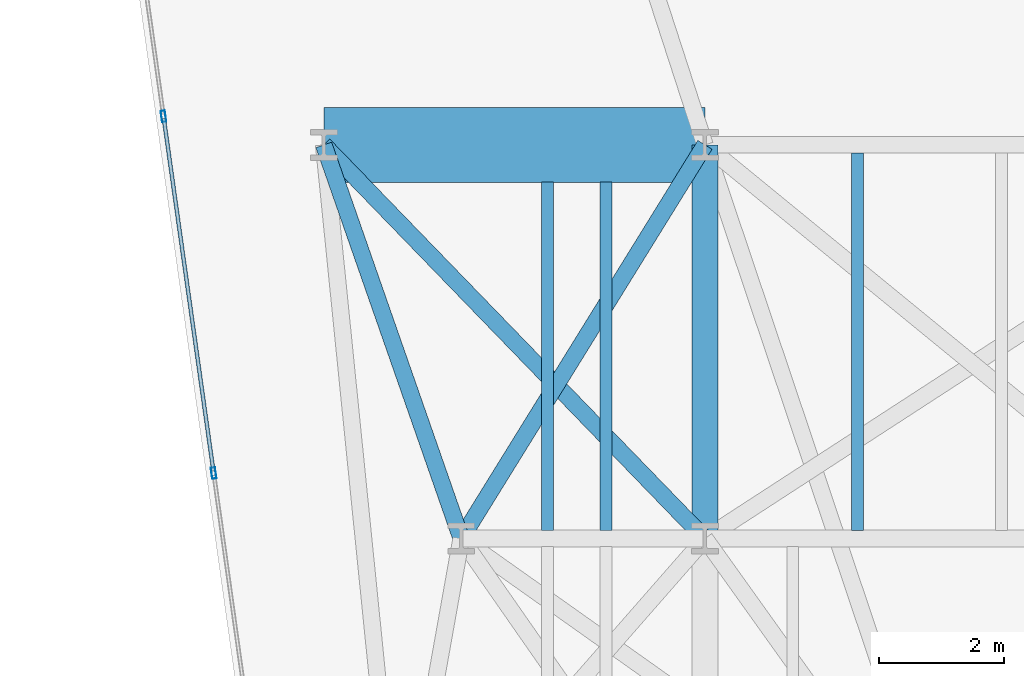
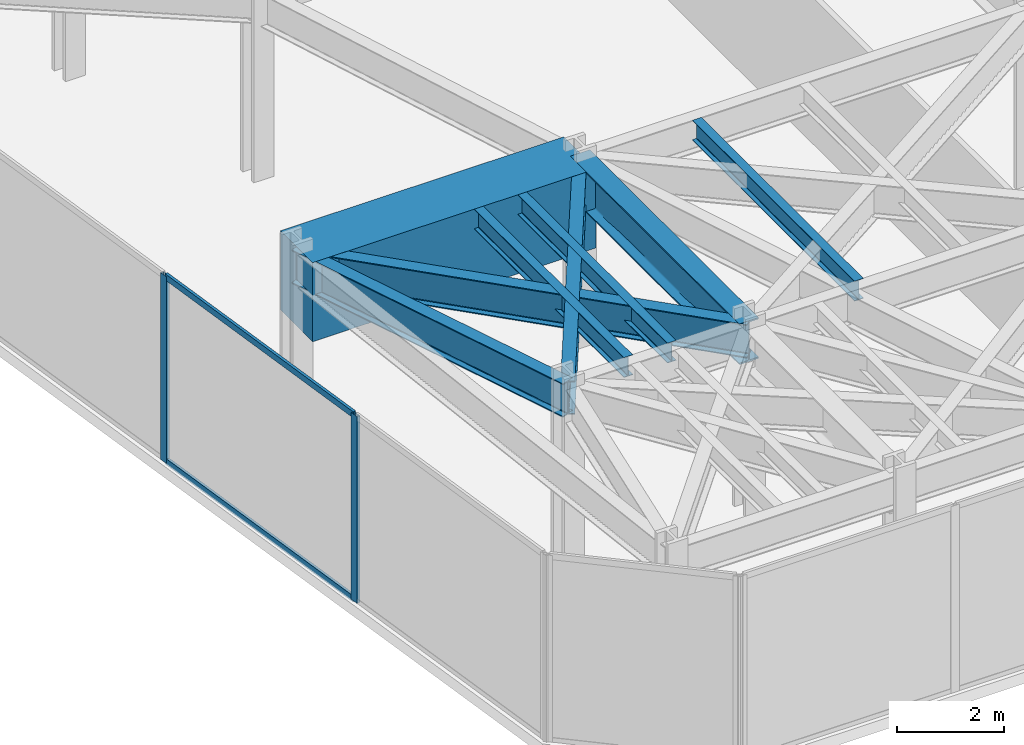
# One storey, part 4 of 28: 8 beams, 4 members, 1 element without a shape of its own.
"""IFC4 building model written with IfcOpenShell, lengths in metres."""

from ifc_helpers import new_model, si_unit, direction, frame, origin, origin_2d, place, context, subcontext, project, spatial, rectangle, hollow_rectangle, i_section, extrude, material, layer, layer_set, material_profile, profile_set, type_object, element, aggregate, save


model = new_model("IFC4")

# Units and contexts
model_context = context("Model", 3, precision=1e-05, world=origin(), true_north=direction((0.0, 1.0)))
body_context = subcontext(model_context, "Body", "Model", "MODEL_VIEW")
ifc_project = project(units=[si_unit("LENGTHUNIT", "METRE"), si_unit("AREAUNIT", "SQUARE_METRE"), si_unit("VOLUMEUNIT", "CUBIC_METRE"), si_unit("PLANEANGLEUNIT", "RADIAN"), si_unit("MASSUNIT", "GRAM", prefix="KILO")], contexts=[model_context])

# Site, building, storey
site_placement = place(None, origin())
site = spatial("IfcSite", under=ifc_project, at=site_placement, CompositionType="ELEMENT")
building_placement = place(site_placement, origin())
building = spatial("IfcBuilding", under=site, at=building_placement, Name="Kravanh Interchange Tower", CompositionType="ELEMENT")
storey_placement = place(building_placement, frame((0.0, 0.0, 91.5)))
storey = spatial("IfcBuildingStorey", under=building, at=storey_placement, Name="L21", CompositionType="ELEMENT", Elevation=91.5)

# Curtain wall, members
ifc_material_1 = material(Name="Anodised Bronze Aluminium", Category="aluminium")
ifc_layer = layer(ifc_material_1, 0.179931640625)
ifc_layer_set = layer_set([ifc_layer], Name="Unitised Curtain Wall System CW-SKY Sky Observatory")
curtain_wall_type = type_object("IfcCurtainWallType", Name="Unitised Curtain Wall System CW-SKY Sky Observatory", PredefinedType="NOTDEFINED", material=ifc_layer_set)
curtain_wall_placement = place(storey_placement, origin())
curtain_wall = element("IfcCurtainWall", 1, at=curtain_wall_placement, inside=storey, type_object=curtain_wall_type, Name="L21 Unitised Curtain Wall CW-L21-01", PredefinedType="NOTDEFINED")
ifc_material_2 = material(Name="Anodised Bronze Aluminium", Category="aluminium")
ifc_material_profile_1 = material_profile(ifc_material_2, hollow_rectangle(XDim=0.070068359375, YDim=0.179931640625, WallThickness=0.00390625, at=origin_2d()), Name="ALU70X180X4")
ifc_profile_set_1 = profile_set([ifc_material_profile_1], Name="Anodised Bronze Aluminium")
member_type_1 = type_object("IfcMemberType", Name="Curtain Wall Mullion ALU70X180X4 Bronze", PredefinedType="MULLION", material=ifc_profile_set_1)
member_1_placement = place(storey_placement, frame((9.6376953125, 9.247314453125, 0.0), z_axis=(0.0, 0.0, 1.0), x_axis=(-0.990267585682, -0.139176538065, 0.0)))
member_1 = element("IfcMember", 2, at=member_1_placement, type_object=member_type_1, Name="CW-SKY mullion 2", PredefinedType="MULLION", context=body_context, shape_type="SweptSolid", body=[
    extrude(hollow_rectangle(XDim=0.070068359375, YDim=0.179931640625, WallThickness=0.00390625, at=origin_2d()), origin(), (0.0, 0.0, 1.0), 4.25),
])
member_2_placement = place(storey_placement, frame((8.835205078125, 14.957763671875, 0.0), z_axis=(0.0, 0.0, 1.0), x_axis=(-0.990267585682, -0.139176538065, 0.0)))
member_2 = element("IfcMember", 3, at=member_2_placement, type_object=member_type_1, Name="CW-SKY mullion 3", PredefinedType="MULLION", context=body_context, shape_type="SweptSolid", body=[
    extrude(hollow_rectangle(XDim=0.070068359375, YDim=0.179931640625, WallThickness=0.00390625, at=origin_2d()), origin(), (0.0, 0.0, 1.0), 4.25),
])
ifc_material_3 = material(Name="Anodised Bronze Aluminium", Category="aluminium")
ifc_material_profile_2 = material_profile(ifc_material_3, hollow_rectangle(XDim=0.06005859375, YDim=0.139892578125, WallThickness=0.00390625, at=origin_2d()), Name="ALU60X140X4")
ifc_profile_set_2 = profile_set([ifc_material_profile_2], Name="Anodised Bronze Aluminium")
member_type_2 = type_object("IfcMemberType", Name="Curtain Wall Transom ALU60X140X4 Bronze", PredefinedType="USERDEFINED", material=ifc_profile_set_2)
member_3_placement = place(storey_placement, frame((9.633056640625, 9.281982421875, 0.030029296875), z_axis=(-0.139200984921, 0.990264149506, 0.0), x_axis=(-0.990264149506, -0.139200984921, 0.0)))
member_3 = element("IfcMember", 4, at=member_3_placement, type_object=member_type_2, Name="CW-SKY transom 2.1", ObjectType="TRANSOM", PredefinedType="USERDEFINED", context=body_context, shape_type="SweptSolid", body=[
    extrude(hollow_rectangle(XDim=0.06005859375, YDim=0.139892578125, WallThickness=0.00390625, at=origin_2d()), origin(), (0.0, 0.0, 1.0), 5.696533203125),
])
member_4_placement = place(storey_placement, frame((9.633056640625, 9.281982421875, 4.219970703125), z_axis=(-0.139200984921, 0.990264149506, 0.0), x_axis=(-0.990264149506, -0.139200984921, 0.0)))
member_4 = element("IfcMember", 5, at=member_4_placement, type_object=member_type_2, Name="CW-SKY transom 2.2", ObjectType="TRANSOM", PredefinedType="USERDEFINED", context=body_context, shape_type="SweptSolid", body=[
    extrude(hollow_rectangle(XDim=0.06005859375, YDim=0.139892578125, WallThickness=0.00390625, at=origin_2d()), origin(), (0.0, 0.0, 1.0), 5.696533203125),
])
aggregate(curtain_wall, [member_1, member_2, member_3, member_4])

# Beams
ifc_material_4 = material(Name="Structural Steel S355", Category="steel")
ifc_material_profile_3 = material_profile(ifc_material_4, i_section(OverallWidth=0.41796875, OverallDepth=0.927001953125, WebThickness=0.019287109375, FlangeThickness=0.031982421875, FilletRadius=0.028076171875, at=origin_2d()), Name="W36X231")
ifc_profile_set_3 = profile_set([ifc_material_profile_3], Name="Structural Steel S355")
beam_type_1 = type_object("IfcBeamType", Name="Floor Beam W36X231 Structural Steel S355", PredefinedType="BEAM", material=ifc_profile_set_3)
beam_1_placement = place(storey_placement, frame((17.5, 8.199951171875, 3.78662109375), z_axis=(0.0, 1.0, 0.0), x_axis=(-1.0, 0.0, 0.0)))
element("IfcBeam", 6, at=beam_1_placement, inside=storey, type_object=beam_type_1, Name="L21 Primary Floor Girder 136", PredefinedType="BEAM", context=body_context, shape_type="SweptSolid", body=[
    extrude(i_section(OverallWidth=0.41796875, OverallDepth=0.927001953125, WebThickness=0.019287109375, FlangeThickness=0.031982421875, FilletRadius=0.028076171875, at=origin_2d()), origin(), (0.0, 0.0, 1.0), 6.300048828125),
])
ifc_material_5 = material(Name="Structural Steel S355", Category="steel")
ifc_material_profile_4 = material_profile(ifc_material_5, i_section(OverallWidth=0.18994140625, OverallDepth=0.45703125, WebThickness=0.009033203125, FlangeThickness=0.014404296875, FilletRadius=0.01806640625, at=origin_2d()), Name="W18X50")
ifc_profile_set_4 = profile_set([ifc_material_profile_4], Name="Structural Steel S355")
beam_type_2 = type_object("IfcBeamType", Name="Floor Joist W18X50 Structural Steel S355", PredefinedType="JOIST", material=ifc_profile_set_4)
for number, where, z_axis, x_axis, name in (
    (7, (14.97802734375, 8.32861328125, 4.021484375), (0.0, 1.0, 0.0), (-1.0, 0.0, 0.0), "L21 Secondary Floor Joist 7"),
    (8, (15.9140625, 8.32861328125, 4.021484375), (0.0, 1.0, 0.0), (-1.0, 0.0, 0.0), "L21 Secondary Floor Joist 8"),
):
    element("IfcBeam", number, at=place(storey_placement, frame(where, z_axis=z_axis, x_axis=x_axis)), inside=storey, type_object=beam_type_2, Name=name, PredefinedType="JOIST", context=body_context, shape_type="SweptSolid", body=[
        extrude(i_section(OverallWidth=0.18994140625, OverallDepth=0.45703125, WebThickness=0.009033203125, FlangeThickness=0.014404296875, FilletRadius=0.01806640625, at=origin_2d()), origin(), (0.0, 0.0, 1.0), 5.576416015625),
    ])
beam_2_placement = place(storey_placement, frame((19.94189453125, 8.32861328125, 4.021484375), z_axis=(0.0, 1.0, 0.0), x_axis=(-1.0, 0.0, 0.0)))
element("IfcBeam", 9, at=beam_2_placement, inside=storey, type_object=beam_type_2, Name="L21 Secondary Floor Joist 9", PredefinedType="JOIST", context=body_context, shape_type="SweptSolid", body=[
    extrude(i_section(OverallWidth=0.18994140625, OverallDepth=0.45703125, WebThickness=0.009033203125, FlangeThickness=0.014404296875, FilletRadius=0.01806640625, at=origin_2d()), origin(), (0.0, 0.0, 1.0), 6.04296875),
])
ifc_material_6 = material(Name="Structural Steel S355", Category="steel")
ifc_material_profile_5 = material_profile(ifc_material_6, i_section(OverallWidth=0.26708984375, OverallDepth=0.761962890625, WebThickness=0.014404296875, FlangeThickness=0.021484375, FilletRadius=0.02490234375, at=origin_2d()), Name="W30X116")
ifc_profile_set_5 = profile_set([ifc_material_profile_5], Name="Structural Steel S355")
beam_type_3 = type_object("IfcBeamType", Name="Floor Spandrel W30X116 Structural Steel S355", PredefinedType="SPANDREL", material=ifc_profile_set_5)
beam_3_placement = place(storey_placement, frame((13.60009765625, 8.199951171875, 3.868896484375), z_axis=(-0.329706642337, 0.944083433812, 0.0), x_axis=(-0.944083433812, -0.329706642337, 0.0)))
element("IfcBeam", 10, at=beam_3_placement, inside=storey, type_object=beam_type_3, Name="L21 Perimeter Spandrel 134", PredefinedType="SPANDREL", context=body_context, shape_type="SweptSolid", body=[
    extrude(i_section(OverallWidth=0.26708984375, OverallDepth=0.761962890625, WebThickness=0.014404296875, FlangeThickness=0.021484375, FilletRadius=0.02490234375, at=origin_2d()), origin(), (0.0, 0.0, 1.0), 6.673095703125),
])
beam_4_placement = place(storey_placement, frame((13.60009765625, 8.199951171875, 3.868896484375), z_axis=(0.5263421368, 0.850272870923, 0.0), x_axis=(-0.850272870923, 0.5263421368, 0.0)))
element("IfcBeam", 11, at=beam_4_placement, inside=storey, type_object=beam_type_3, Name="L21 Perimeter Spandrel 135", PredefinedType="SPANDREL", context=body_context, shape_type="SweptSolid", body=[
    extrude(i_section(OverallWidth=0.26708984375, OverallDepth=0.761962890625, WebThickness=0.014404296875, FlangeThickness=0.021484375, FilletRadius=0.02490234375, at=origin_2d()), origin(), (0.0, 0.0, 1.0), 7.409423828125),
])
beam_5_placement = place(storey_placement, frame((17.5, 8.199951171875, 3.868896484375), z_axis=(-0.695614323867, 0.718415417729, 0.0), x_axis=(-0.718415417729, -0.695614323867, 0.0)))
element("IfcBeam", 12, at=beam_5_placement, inside=storey, type_object=beam_type_3, Name="L21 Perimeter Spandrel 138", PredefinedType="SPANDREL", context=body_context, shape_type="SweptSolid", body=[
    extrude(i_section(OverallWidth=0.26708984375, OverallDepth=0.761962890625, WebThickness=0.014404296875, FlangeThickness=0.021484375, FilletRadius=0.02490234375, at=origin_2d()), origin(), (0.0, 0.0, 1.0), 8.769287109375),
])
ifc_material_7 = material(Name="Concrete C70/85", Category="concrete")
ifc_material_profile_6 = material_profile(ifc_material_7, rectangle(XDim=1.199951171875, YDim=1.800048828125, at=origin_2d()), Name="TG1200X1800")
ifc_profile_set_6 = profile_set([ifc_material_profile_6], Name="Concrete C70/85")
beam_type_4 = type_object("IfcBeamType", Name="Transfer Girder TG1200X1800 Concrete C70/85", PredefinedType="BEAM", material=ifc_profile_set_6)
beam_6_placement = place(storey_placement, frame((11.39990234375, 14.5, 3.35009765625), z_axis=(1.0, 0.0, 0.0), x_axis=(0.0, 1.0, 0.0)))
element("IfcBeam", 13, at=beam_6_placement, inside=storey, type_object=beam_type_4, Name="L21 TRANSFER GIRDER TG-1", PredefinedType="BEAM", context=body_context, shape_type="SweptSolid", body=[
    extrude(rectangle(XDim=1.199951171875, YDim=1.800048828125, at=origin_2d()), origin(), (0.0, 0.0, 1.0), 6.10009765625),
])

save(model, "model.ifc")
